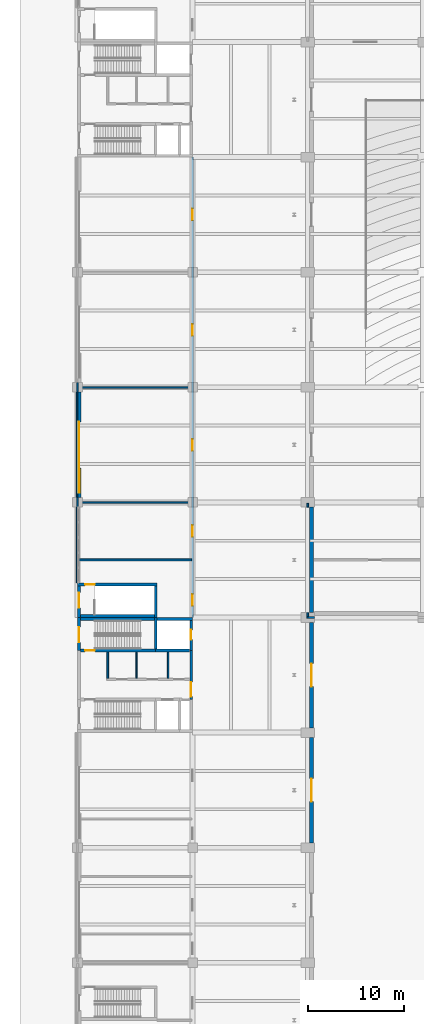
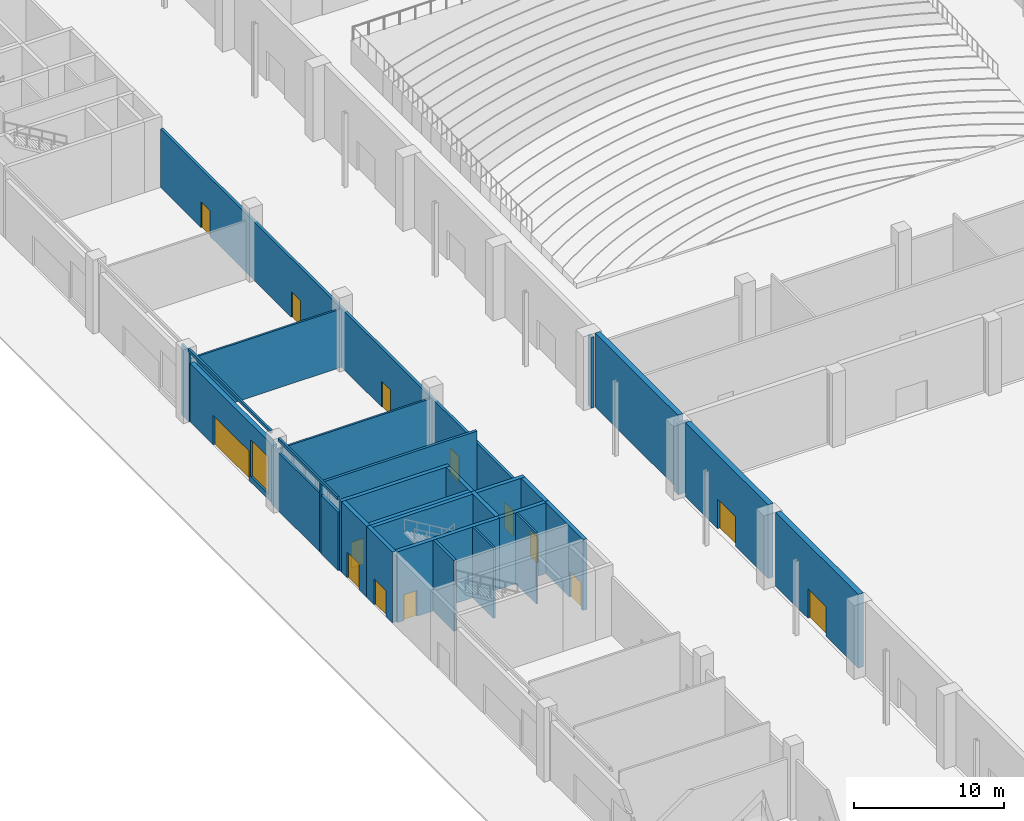
# One storey, part 37 of 59: 31 walls, 14 doors, 1 window, 15 openings.
"""IFC4 building model written with IfcOpenShell, lengths in metres."""

from ifc_helpers import new_model, si_unit, direction, frame, frame_2d, origin, place, context, subcontext, project, spatial, rectangle, extrude, material, layer, layer_set, type_object, element, fill, save


model = new_model("IFC4")

# Units and contexts
model_context = context("Model", 3, precision=1e-05, world=origin(), true_north=direction((0.0, 1.0)))
body_context = subcontext(model_context, "Body", "Model", "MODEL_VIEW")
ifc_project = project(units=[si_unit("LENGTHUNIT", "METRE"), si_unit("AREAUNIT", "SQUARE_METRE"), si_unit("VOLUMEUNIT", "CUBIC_METRE"), si_unit("PLANEANGLEUNIT", "RADIAN"), si_unit("MASSUNIT", "GRAM", prefix="KILO")], contexts=[model_context])

# Site, building, storey
site_placement = place(None, origin())
site = spatial("IfcSite", under=ifc_project, at=site_placement, CompositionType="ELEMENT")
building_placement = place(site_placement, origin())
building = spatial("IfcBuilding", under=site, at=building_placement, Name="Lilac Gate Convention Centre", CompositionType="ELEMENT")
storey_placement = place(building_placement, origin())
storey = spatial("IfcBuildingStorey", under=building, at=storey_placement, Name="L00", CompositionType="ELEMENT", Elevation=0.0)

# Wall, opening, door
ifc_material_1 = material(Name="Concrete C30", Category="concrete")
ifc_layer_1 = layer(ifc_material_1, 0.39990234375)
ifc_layer_set_1 = layer_set([ifc_layer_1], Name="Concrete C30")
wall_type_1 = type_object("IfcWallType", Name="Hall fire wall 400", PredefinedType="SOLIDWALL", material=ifc_layer_set_1)
wall_1_placement = place(storey_placement, frame((30.39990234375, 78.5, 0.0), z_axis=(0.0, 0.0, 1.0), x_axis=(0.0, 1.0, 0.0)))
wall_1 = element("IfcWall", 1, at=wall_1_placement, inside=storey, type_object=wall_type_1, Name="Fire wall galleria FW L00 5", PredefinedType="SOLIDWALL", context=body_context, shape_type="SweptSolid", body=[
    extrude(rectangle(XDim=11.0, YDim=0.39990234375, at=frame_2d((5.5, 0.0))), origin(), (0.0, 0.0, 1.0), 6.0),
])
opening_1_placement = place(wall_1_placement, frame((4.300048828125, 0.0, 0.0)))
opening_1 = element("IfcOpeningElement", 2, at=opening_1_placement, cuts=wall_1, Name="Opening L00-025", PredefinedType="OPENING", context=body_context, shape_type="SweptSolid", body=[
    extrude(rectangle(XDim=2.39990234375, YDim=2.39990234375, at=frame_2d((1.199951171875, 1.199951171875))), frame((0.0, 0.2099609375, 0.0), z_axis=(0.0, -1.0, 0.0), x_axis=(1.0, 0.0, 0.0)), (0.0, 0.0, 1.0), 0.419921875),
])
ifc_material_2 = material(Name="Steel Q235B", Category="steel")
door_type_1 = type_object("IfcDoorType", Name="Door 2400 x 2400 double leaf FD90", OperationType="DOUBLE_DOOR_SINGLE_SWING", PredefinedType="DOOR", material=ifc_material_2)
door_1_placement = place(opening_1_placement, origin())
door_1 = element("IfcDoor", 3, at=door_1_placement, inside=storey, type_object=door_type_1, Name="Hall exit door L00-025", OperationType="DOUBLE_DOOR_SINGLE_SWING", OverallHeight=2.39990234375, OverallWidth=2.39990234375, PredefinedType="DOOR", context=body_context, shape_type="SweptSolid", body=[
    extrude(rectangle(XDim=2.39990234375, YDim=2.39990234375, at=frame_2d((1.199951171875, 1.199951171875))), frame((0.0, 0.02490234375, 0.0), z_axis=(0.0, -1.0, 0.0), x_axis=(1.0, 0.0, 0.0)), (0.0, 0.0, 1.0), 0.050048828125),
])
fill(opening_1, door_1)

wall_2_placement = place(storey_placement, frame((30.39990234375, 90.5, 0.0), z_axis=(0.0, 0.0, 1.0), x_axis=(0.0, 1.0, 0.0)))
wall_2 = element("IfcWall", 4, at=wall_2_placement, inside=storey, type_object=wall_type_1, Name="Fire wall galleria FW L00 6", PredefinedType="SOLIDWALL", context=body_context, shape_type="SweptSolid", body=[
    extrude(rectangle(XDim=11.0, YDim=0.39990234375, at=frame_2d((5.5, 0.0))), origin(), (0.0, 0.0, 1.0), 6.0),
])
opening_2_placement = place(wall_2_placement, frame((4.300048828125, 0.0, 0.0)))
opening_2 = element("IfcOpeningElement", 5, at=opening_2_placement, cuts=wall_2, Name="Opening L00-034", PredefinedType="OPENING", context=body_context, shape_type="SweptSolid", body=[
    extrude(rectangle(XDim=2.39990234375, YDim=2.39990234375, at=frame_2d((1.199951171875, 1.199951171875))), frame((0.0, 0.2099609375, 0.0), z_axis=(0.0, -1.0, 0.0), x_axis=(1.0, 0.0, 0.0)), (0.0, 0.0, 1.0), 0.419921875),
])
door_2_placement = place(opening_2_placement, origin())
door_2 = element("IfcDoor", 6, at=door_2_placement, inside=storey, type_object=door_type_1, Name="Hall exit door L00-034", OperationType="DOUBLE_DOOR_SINGLE_SWING", OverallHeight=2.39990234375, OverallWidth=2.39990234375, PredefinedType="DOOR", context=body_context, shape_type="SweptSolid", body=[
    extrude(rectangle(XDim=2.39990234375, YDim=2.39990234375, at=frame_2d((1.199951171875, 1.199951171875))), frame((0.0, 0.02490234375, 0.0), z_axis=(0.0, -1.0, 0.0), x_axis=(1.0, 0.0, 0.0)), (0.0, 0.0, 1.0), 0.050048828125),
])
fill(opening_2, door_2)

# Walls
wall_3_placement = place(storey_placement, frame((30.39990234375, 102.5, 0.0), z_axis=(0.0, 0.0, 1.0), x_axis=(0.0, 1.0, 0.0)))
element("IfcWall", 7, at=wall_3_placement, inside=storey, type_object=wall_type_1, Name="Fire wall galleria FW L00 7", PredefinedType="SOLIDWALL", context=body_context, shape_type="SweptSolid", body=[
    extrude(rectangle(XDim=11.0, YDim=0.39990234375, at=frame_2d((5.5, 0.0))), origin(), (0.0, 0.0, 1.0), 6.0),
])
ifc_material_3 = material(Name="Fire-rated gypsum board on steel stud", Category="steel")
ifc_layer_2 = layer(ifc_material_3, 0.14990234375)
ifc_layer_set_2 = layer_set([ifc_layer_2], Name="Fire-rated gypsum board on steel stud")
wall_type_2 = type_object("IfcWallType", Name="Partition 150 fire-rated gypsum board EI 60", PredefinedType="PARTITIONING", material=ifc_layer_set_2)
for number, where, z_axis, x_axis, name in (
    (8, (6.074951171875, 114.0, 0.0), (0.0, 0.0, 1.0), (1.0, 0.0, 0.0), "Partition 150 fire-rated gypsum board EI 60"),
    (9, (6.074951171875, 126.0, 0.0), (0.0, 0.0, 1.0), (1.0, 0.0, 0.0), "Partition 150 fire-rated gypsum board EI 60"),
):
    element("IfcWall", number, at=place(storey_placement, frame(where, z_axis=z_axis, x_axis=x_axis)), inside=storey, type_object=wall_type_2, Name=name, PredefinedType="PARTITIONING", context=body_context, shape_type="SweptSolid", body=[
        extrude(rectangle(XDim=11.824951171875, YDim=0.14990234375, at=frame_2d((5.91259765625, 0.0))), origin(), (0.0, 0.0, 1.0), 4.75),
    ])
wall_4_placement = place(storey_placement, frame((6.0, 108.10009765625, 0.0), z_axis=(0.0, 0.0, 1.0), x_axis=(0.0, 1.0, 0.0)))
element("IfcWall", 10, at=wall_4_placement, inside=storey, type_object=wall_type_2, Name="Partition 150 fire-rated gypsum board EI 60", PredefinedType="PARTITIONING", context=body_context, shape_type="SweptSolid", body=[
    extrude(rectangle(XDim=6.39990234375, YDim=0.14990234375, at=frame_2d((3.199951171875, 0.0))), origin(), (0.0, 0.0, 1.0), 4.75),
])
wall_5_placement = place(storey_placement, frame((6.0, 125.5, 0.0), z_axis=(0.0, 0.0, 1.0), x_axis=(0.0, 1.0, 0.0)))
element("IfcWall", 11, at=wall_5_placement, inside=storey, type_object=wall_type_2, Name="Partition 150 fire-rated gypsum board EI 60", PredefinedType="PARTITIONING", context=body_context, shape_type="SweptSolid", body=[
    extrude(rectangle(XDim=1.0, YDim=0.14990234375, at=frame_2d((0.5, 0.0))), origin(), (0.0, 0.0, 1.0), 5.75),
])
for number, where, z_axis, x_axis, name in (
    (12, (12.14990234375, 95.64990234375, 0.0), (0.0, 0.0, 1.0), (0.0, 1.0, 0.0), "Partition 150 fire-rated gypsum board EI 60"),
    (13, (15.449951171875, 95.64990234375, 0.0), (0.0, 0.0, 1.0), (0.0, 1.0, 0.0), "Partition 150 fire-rated gypsum board EI 60"),
):
    element("IfcWall", number, at=place(storey_placement, frame(where, z_axis=z_axis, x_axis=x_axis)), inside=storey, type_object=wall_type_2, Name=name, PredefinedType="PARTITIONING", context=body_context, shape_type="SweptSolid", body=[
        extrude(rectangle(XDim=2.75, YDim=0.14990234375, at=frame_2d((1.375, 0.0))), origin(), (0.0, 0.0, 1.0), 5.75),
    ])
ifc_material_4 = material(Name="Clay brick masonry", Category="masonry")
ifc_layer_3 = layer(ifc_material_4, 0.199951171875)
ifc_layer_set_3 = layer_set([ifc_layer_3], Name="Clay brick masonry")
wall_type_3 = type_object("IfcWallType", Name="Partition 200 brick EI 120", PredefinedType="PARTITIONING", material=ifc_layer_set_3)
wall_6_placement = place(storey_placement, frame((29.89990234375, 102.0, 0.0), z_axis=(0.0, 0.0, 1.0), x_axis=(1.0, 0.0, 0.0)))
element("IfcWall", 14, at=wall_6_placement, inside=storey, type_object=wall_type_3, Name="Partition 200 brick EI 120", PredefinedType="PARTITIONING", context=body_context, shape_type="SweptSolid", body=[
    extrude(rectangle(XDim=0.800048828125, YDim=0.199951171875, at=frame_2d((0.39990234375, 0.0))), origin(), (0.0, 0.0, 1.0), 5.75),
])
ifc_layer_4 = layer(ifc_material_4, 0.199951171875)
ifc_layer_set_4 = layer_set([ifc_layer_4], Name="Clay brick masonry")
wall_type_4 = type_object("IfcWallType", Name="Partition 200 brick EI 60", PredefinedType="PARTITIONING", material=ifc_layer_set_4)
wall_7_placement = place(storey_placement, frame((5.925048828125, 108.0, 0.0), z_axis=(0.0, 0.0, 1.0), x_axis=(1.0, 0.0, 0.0)))
element("IfcWall", 15, at=wall_7_placement, inside=storey, type_object=wall_type_4, Name="Partition 200 brick EI 60", PredefinedType="PARTITIONING", context=body_context, shape_type="SweptSolid", body=[
    extrude(rectangle(XDim=11.974853515625, YDim=0.199951171875, at=frame_2d((5.9873046875, 0.0))), origin(), (0.0, 0.0, 1.0), 5.75),
])
wall_8_placement = place(storey_placement, frame((6.0, 105.60009765625, 0.0), z_axis=(0.0, 0.0, 1.0), x_axis=(0.0, 1.0, 0.0)))
element("IfcWall", 16, at=wall_8_placement, inside=storey, type_object=wall_type_4, Name="Partition 200 brick EI 60", PredefinedType="PARTITIONING", context=body_context, shape_type="SweptSolid", body=[
    extrude(rectangle(XDim=2.2998046875, YDim=0.199951171875, at=frame_2d((1.14990234375, 0.0))), origin(), (0.0, 0.0, 1.0), 4.75),
])
wall_9_placement = place(storey_placement, frame((9.14990234375, 95.64990234375, 0.0), z_axis=(0.0, 0.0, 1.0), x_axis=(0.0, 1.0, 0.0)))
element("IfcWall", 17, at=wall_9_placement, inside=storey, type_object=wall_type_4, Name="Partition 200 brick EI 60", PredefinedType="PARTITIONING", context=body_context, shape_type="SweptSolid", body=[
    extrude(rectangle(XDim=2.75, YDim=0.199951171875, at=frame_2d((1.375, 0.0))), origin(), (0.0, 0.0, 1.0), 5.75),
])

# Wall, openings, doors
wall_10_placement = place(storey_placement, frame((18.0, 102.0, 0.0), z_axis=(0.0, 0.0, 1.0), x_axis=(0.0, 1.0, 0.0)))
wall_10 = element("IfcWall", 18, at=wall_10_placement, inside=storey, type_object=wall_type_4, Name="Partition 200 brick EI 60", PredefinedType="PARTITIONING", context=body_context, shape_type="SweptSolid", body=[
    extrude(rectangle(XDim=48.0, YDim=0.199951171875, at=frame_2d((24.0, 0.0))), origin(), (0.0, 0.0, 1.0), 4.75),
])
opening_3_placement = place(wall_10_placement, frame((1.199951171875, 0.0, 0.0)))
opening_3 = element("IfcOpeningElement", 19, at=opening_3_placement, cuts=wall_10, Name="Opening L00-043", PredefinedType="OPENING", context=body_context, shape_type="SweptSolid", body=[
    extrude(rectangle(XDim=1.199951171875, YDim=2.10009765625, at=frame_2d((0.60009765625, 1.050048828125))), frame((0.0, 0.10986328125, 0.0), z_axis=(0.0, -1.0, 0.0), x_axis=(1.0, 0.0, 0.0)), (0.0, 0.0, 1.0), 0.219970703125),
])
opening_4_placement = place(wall_10_placement, frame((8.39990234375, 0.0, 0.0)))
opening_4 = element("IfcOpeningElement", 20, at=opening_4_placement, cuts=wall_10, Name="Opening L00-055", PredefinedType="OPENING", context=body_context, shape_type="SweptSolid", body=[
    extrude(rectangle(XDim=1.199951171875, YDim=2.10009765625, at=frame_2d((0.60009765625, 1.050048828125))), frame((0.0, 0.10986328125, 0.0), z_axis=(0.0, -1.0, 0.0), x_axis=(1.0, 0.0, 0.0)), (0.0, 0.0, 1.0), 0.219970703125),
])
opening_5_placement = place(wall_10_placement, frame((17.39990234375, 0.0, 0.0)))
opening_5 = element("IfcOpeningElement", 21, at=opening_5_placement, cuts=wall_10, Name="Opening L00-060", PredefinedType="OPENING", context=body_context, shape_type="SweptSolid", body=[
    extrude(rectangle(XDim=1.199951171875, YDim=2.10009765625, at=frame_2d((0.60009765625, 1.050048828125))), frame((0.0, 0.10986328125, 0.0), z_axis=(0.0, -1.0, 0.0), x_axis=(1.0, 0.0, 0.0)), (0.0, 0.0, 1.0), 0.219970703125),
])
opening_6_placement = place(wall_10_placement, frame((29.39990234375, 0.0, 0.0)))
opening_6 = element("IfcOpeningElement", 22, at=opening_6_placement, cuts=wall_10, Name="Opening L00-063", PredefinedType="OPENING", context=body_context, shape_type="SweptSolid", body=[
    extrude(rectangle(XDim=1.199951171875, YDim=2.10009765625, at=frame_2d((0.60009765625, 1.050048828125))), frame((0.0, 0.10986328125, 0.0), z_axis=(0.0, -1.0, 0.0), x_axis=(1.0, 0.0, 0.0)), (0.0, 0.0, 1.0), 0.219970703125),
])
opening_7_placement = place(wall_10_placement, frame((41.39990234375, 0.0, 0.0)))
opening_7 = element("IfcOpeningElement", 23, at=opening_7_placement, cuts=wall_10, Name="Opening L00-068", PredefinedType="OPENING", context=body_context, shape_type="SweptSolid", body=[
    extrude(rectangle(XDim=1.199951171875, YDim=2.10009765625, at=frame_2d((0.60009765625, 1.050048828125))), frame((0.0, 0.10986328125, 0.0), z_axis=(0.0, -1.0, 0.0), x_axis=(1.0, 0.0, 0.0)), (0.0, 0.0, 1.0), 0.219970703125),
])
ifc_material_5 = material(Name="Timber fire door leaf", Category="wood")
door_type_2 = type_object("IfcDoorType", Name="Door 1200 x 2100 single leaf FD30", OperationType="SINGLE_SWING_LEFT", PredefinedType="DOOR", material=ifc_material_5)
door_3_placement = place(opening_4_placement, origin())
door_3 = element("IfcDoor", 24, at=door_3_placement, inside=storey, type_object=door_type_2, Name="Office door L00-055", OperationType="SINGLE_SWING_LEFT", OverallHeight=2.10009765625, OverallWidth=1.199951171875, PredefinedType="DOOR", context=body_context, shape_type="SweptSolid", body=[
    extrude(rectangle(XDim=1.199951171875, YDim=2.10009765625, at=frame_2d((0.60009765625, 1.050048828125))), frame((0.0, 0.02490234375, 0.0), z_axis=(0.0, -1.0, 0.0), x_axis=(1.0, 0.0, 0.0)), (0.0, 0.0, 1.0), 0.050048828125),
])
fill(opening_4, door_3)
door_4_placement = place(opening_5_placement, origin())
door_4 = element("IfcDoor", 25, at=door_4_placement, inside=storey, type_object=door_type_2, Name="Office door L00-060", OperationType="SINGLE_SWING_LEFT", OverallHeight=2.10009765625, OverallWidth=1.199951171875, PredefinedType="DOOR", context=body_context, shape_type="SweptSolid", body=[
    extrude(rectangle(XDim=1.199951171875, YDim=2.10009765625, at=frame_2d((0.60009765625, 1.050048828125))), frame((0.0, 0.02490234375, 0.0), z_axis=(0.0, -1.0, 0.0), x_axis=(1.0, 0.0, 0.0)), (0.0, 0.0, 1.0), 0.050048828125),
])
fill(opening_5, door_4)
door_5_placement = place(opening_6_placement, origin())
door_5 = element("IfcDoor", 26, at=door_5_placement, inside=storey, type_object=door_type_2, Name="Office door L00-063", OperationType="SINGLE_SWING_LEFT", OverallHeight=2.10009765625, OverallWidth=1.199951171875, PredefinedType="DOOR", context=body_context, shape_type="SweptSolid", body=[
    extrude(rectangle(XDim=1.199951171875, YDim=2.10009765625, at=frame_2d((0.60009765625, 1.050048828125))), frame((0.0, 0.02490234375, 0.0), z_axis=(0.0, -1.0, 0.0), x_axis=(1.0, 0.0, 0.0)), (0.0, 0.0, 1.0), 0.050048828125),
])
fill(opening_6, door_5)
door_6_placement = place(opening_7_placement, frame((1.199951171875, 0.0, 0.0), z_axis=(0.0, 0.0, 1.0), x_axis=(-1.0, 0.0, 0.0)))
door_6 = element("IfcDoor", 27, at=door_6_placement, inside=storey, type_object=door_type_2, Name="Shop door L00-068", OperationType="SINGLE_SWING_RIGHT", OverallHeight=2.10009765625, OverallWidth=1.199951171875, PredefinedType="DOOR", context=body_context, shape_type="SweptSolid", body=[
    extrude(rectangle(XDim=1.199951171875, YDim=2.10009765625, at=frame_2d((0.60009765625, 1.050048828125))), frame((0.0, 0.02490234375, 0.0), z_axis=(0.0, -1.0, 0.0), x_axis=(1.0, 0.0, 0.0)), (0.0, 0.0, 1.0), 0.050048828125),
])
fill(opening_7, door_6)
door_type_3 = type_object("IfcDoorType", Name="Door 1200 x 2100 single leaf FD60", OperationType="SINGLE_SWING_LEFT", PredefinedType="DOOR", material=ifc_material_5)
door_7_placement = place(opening_3_placement, origin())
door_7 = element("IfcDoor", 28, at=door_7_placement, inside=storey, type_object=door_type_3, Name="Lobby door L00-043", OperationType="SINGLE_SWING_RIGHT", OverallHeight=2.10009765625, OverallWidth=1.199951171875, PredefinedType="DOOR", context=body_context, shape_type="SweptSolid", body=[
    extrude(rectangle(XDim=1.199951171875, YDim=2.10009765625, at=frame_2d((0.60009765625, 1.050048828125))), frame((0.0, 0.02490234375, 0.0), z_axis=(0.0, -1.0, 0.0), x_axis=(1.0, 0.0, 0.0)), (0.0, 0.0, 1.0), 0.050048828125),
])
fill(opening_3, door_7)

# Walls
for number, where, z_axis, x_axis, name in (
    (29, (30.0, 102.10009765625, 0.0), (0.0, 0.0, 1.0), (0.0, 1.0, 0.0), "Partition 200 brick EI 60"),
    (30, (30.0, 113.5, 0.0), (0.0, 0.0, 1.0), (0.0, 1.0, 0.0), "Partition 200 brick EI 60"),
):
    element("IfcWall", number, at=place(storey_placement, frame(where, z_axis=z_axis, x_axis=x_axis)), inside=storey, type_object=wall_type_4, Name=name, PredefinedType="PARTITIONING", context=body_context, shape_type="SweptSolid", body=[
        extrude(rectangle(XDim=0.39990234375, YDim=0.199951171875, at=frame_2d((0.199951171875, 0.0))), origin(), (0.0, 0.0, 1.0), 5.75),
    ])

# Wall, openings, door, window
ifc_material_6 = material(Name="Ochre mineral render")
ifc_layer_5 = layer(ifc_material_6, 0.02001953125)
ifc_material_7 = material(Name="Concrete C40 precast", Category="concrete")
ifc_layer_6 = layer(ifc_material_7, 0.06005859375)
ifc_material_8 = material(Name="Ventilated air cavity")
ifc_layer_7 = layer(ifc_material_8, 0.030029296875)
ifc_material_9 = material(Name="Mineral wool insulation")
ifc_layer_8 = layer(ifc_material_9, 0.169921875)
ifc_material_10 = material(Name="Steel stud Q345 and gypsum lining", Category="steel")
ifc_layer_9 = layer(ifc_material_10, 0.070068359375)
ifc_layer_set_5 = layer_set([ifc_layer_5, ifc_layer_6, ifc_layer_7, ifc_layer_8, ifc_layer_9], Name="Ochre mineral render, Concrete C40 precast, Ventilated air cavity, Mineral wool insulation, Steel stud Q345 and gypsum lining")
wall_type_5 = type_object("IfcWallType", Name="Podium precast wall 350", PredefinedType="STANDARD", material=ifc_layer_set_5)
wall_11_placement = place(storey_placement, frame((6.175048828125, 125.5, 0.0), z_axis=(0.0, 0.0, 1.0), x_axis=(0.0, -1.0, 0.0)))
wall_11 = element("IfcWall", 31, at=wall_11_placement, inside=storey, type_object=wall_type_5, Name="External wall west PW L00 7", PredefinedType="STANDARD", context=body_context, shape_type="SweptSolid", body=[
    extrude(rectangle(XDim=11.0, YDim=0.35009765625, at=frame_2d((5.5, 0.0))), origin(), (0.0, 0.0, 1.0), 4.75),
])
opening_8_placement = place(wall_11_placement, frame((8.10009765625, 0.0, 0.449951171875)))
opening_8 = element("IfcOpeningElement", 32, at=opening_8_placement, cuts=wall_11, Name="Opening W6", PredefinedType="OPENING", context=body_context, shape_type="SweptSolid", body=[
    extrude(rectangle(XDim=2.39990234375, YDim=3.0, at=frame_2d((1.199951171875, 1.5))), frame((0.0, 0.18505859375, 0.0), z_axis=(0.0, -1.0, 0.0), x_axis=(1.0, 0.0, 0.0)), (0.0, 0.0, 1.0), 0.3701171875),
])
opening_9_placement = place(wall_11_placement, frame((3.10009765625, 0.0, 0.0)))
opening_9 = element("IfcOpeningElement", 33, at=opening_9_placement, cuts=wall_11, Name="Opening ED-009", PredefinedType="OPENING", context=body_context, shape_type="SweptSolid", body=[
    extrude(rectangle(XDim=4.800048828125, YDim=2.39990234375, at=frame_2d((2.39990234375, 1.199951171875))), frame((0.0, 0.18505859375, 0.0), z_axis=(0.0, -1.0, 0.0), x_axis=(1.0, 0.0, 0.0)), (0.0, 0.0, 1.0), 0.3701171875),
])
door_type_4 = type_object("IfcDoorType", Name="Exit door set 4800 x 2400", OperationType="DOUBLE_DOOR_SINGLE_SWING", PredefinedType="DOOR", material=ifc_material_2)
door_8_placement = place(opening_9_placement, frame((4.800048828125, 0.0, 0.0), z_axis=(0.0, 0.0, 1.0), x_axis=(-1.0, 0.0, 0.0)))
door_8 = element("IfcDoor", 34, at=door_8_placement, inside=storey, type_object=door_type_4, Name="Pedestrian exit doors G4", OperationType="DOUBLE_DOOR_SINGLE_SWING", OverallHeight=2.39990234375, OverallWidth=4.800048828125, PredefinedType="DOOR", context=body_context, shape_type="SweptSolid", body=[
    extrude(rectangle(XDim=4.800048828125, YDim=2.39990234375, at=frame_2d((2.39990234375, 1.199951171875))), frame((0.0, 0.02490234375, 0.0), z_axis=(0.0, -1.0, 0.0), x_axis=(1.0, 0.0, 0.0)), (0.0, 0.0, 1.0), 0.050048828125),
])
fill(opening_9, door_8)
ifc_material_11 = material(Name="Aluminium framed double glazing", Category="aluminium")
window_type = type_object("IfcWindowType", Name="Shopfront window 2400 x 3000", PartitioningType="TRIPLE_PANEL_VERTICAL", PredefinedType="WINDOW", material=ifc_material_11)
window_placement = place(opening_8_placement, origin())
window = element("IfcWindow", 35, at=window_placement, inside=storey, type_object=window_type, Name="Window L00 west 117", OverallHeight=3.0, OverallWidth=2.39990234375, PartitioningType="SINGLE_PANEL", PredefinedType="WINDOW", context=body_context, shape_type="SweptSolid", body=[
    extrude(rectangle(XDim=2.39990234375, YDim=3.0, at=frame_2d((1.199951171875, 1.5))), frame((0.0, 0.030029296875, 0.0), z_axis=(0.0, -1.0, 0.0), x_axis=(1.0, 0.0, 0.0)), (0.0, 0.0, 1.0), 0.06005859375),
])
fill(opening_8, window)

# Walls
ifc_layer_10 = layer(ifc_material_7, 0.1298828125)
ifc_material_12 = material(Name="Teal glazed cladding")
ifc_layer_11 = layer(ifc_material_12, 0.02001953125)
ifc_layer_set_6 = layer_set([ifc_layer_10, ifc_layer_11], Name="Concrete C40 precast, Teal glazed cladding")
wall_type_6 = type_object("IfcWallType", Name="Precast band teal 150", PredefinedType="STANDARD", material=ifc_layer_set_6)
wall_12_placement = place(storey_placement, frame((5.925048828125, 125.5, 5.75), z_axis=(0.0, 0.0, 1.0), x_axis=(0.0, -1.0, 0.0)))
element("IfcWall", 36, at=wall_12_placement, inside=storey, type_object=wall_type_6, Name="Precast band PW L00 7", PredefinedType="STANDARD", context=body_context, shape_type="SweptSolid", body=[
    extrude(rectangle(XDim=11.0, YDim=0.14990234375, at=frame_2d((5.5, 0.0))), origin(), (0.0, 0.0, 1.0), 0.25),
])
wall_13_placement = place(storey_placement, frame((5.925048828125, 113.5, 5.75), z_axis=(0.0, 0.0, 1.0), x_axis=(0.0, -1.0, 0.0)))
element("IfcWall", 37, at=wall_13_placement, inside=storey, type_object=wall_type_6, Name="Precast band PW L00 8", PredefinedType="STANDARD", context=body_context, shape_type="SweptSolid", body=[
    extrude(rectangle(XDim=7.89990234375, YDim=0.14990234375, at=frame_2d((3.949951171875, 0.0))), origin(), (0.0, 0.0, 1.0), 0.25),
])
ifc_material_13 = material(Name="Concrete C40", Category="concrete")
ifc_layer_12 = layer(ifc_material_13, 0.300048828125)
ifc_layer_set_7 = layer_set([ifc_layer_12], Name="Concrete C40")
wall_type_7 = type_object("IfcWallType", Name="Shear wall 300 C40", PredefinedType="SHEAR", material=ifc_layer_set_7)
wall_14_placement = place(storey_placement, frame((6.0, 102.14990234375, 0.0), z_axis=(0.0, 0.0, 1.0), x_axis=(1.0, 0.0, 0.0)))
element("IfcWall", 38, at=wall_14_placement, inside=storey, type_object=wall_type_7, Name="SW1 shear wall BW2 L00 1", PredefinedType="SHEAR", context=body_context, shape_type="SweptSolid", body=[
    extrude(rectangle(XDim=8.300048828125, YDim=0.300048828125, at=frame_2d((4.14990234375, 0.0))), origin(), (0.0, 0.0, 1.0), 5.75),
])

# Wall, opening, door
wall_15_placement = place(storey_placement, frame((6.0, 105.449951171875, 0.0), z_axis=(0.0, 0.0, 1.0), x_axis=(1.0, 0.0, 0.0)))
wall_15 = element("IfcWall", 39, at=wall_15_placement, inside=storey, type_object=wall_type_7, Name="SW1 shear wall BW2 L00 2", PredefinedType="SHEAR", context=body_context, shape_type="SweptSolid", body=[
    extrude(rectangle(XDim=8.300048828125, YDim=0.300048828125, at=frame_2d((4.14990234375, 0.0))), origin(), (0.0, 0.0, 1.0), 5.75),
])
opening_10_placement = place(wall_15_placement, frame((0.800048828125, 0.0, 0.0)))
opening_10 = element("IfcOpeningElement", 40, at=opening_10_placement, cuts=wall_15, Name="Opening L00-044", PredefinedType="OPENING", context=body_context, shape_type="SweptSolid", body=[
    extrude(rectangle(XDim=1.0, YDim=2.10009765625, at=frame_2d((0.5, 1.050048828125))), frame((0.0, 0.159912109375, 0.0), z_axis=(0.0, -1.0, 0.0), x_axis=(1.0, 0.0, 0.0)), (0.0, 0.0, 1.0), 0.320068359375),
])
door_type_5 = type_object("IfcDoorType", Name="Door 1000 x 2100 single leaf FD60", OperationType="SINGLE_SWING_LEFT", PredefinedType="DOOR", material=ifc_material_5)
door_9_placement = place(opening_10_placement, frame((1.0, 0.0, 0.0), z_axis=(0.0, 0.0, 1.0), x_axis=(-1.0, 0.0, 0.0)))
door_9 = element("IfcDoor", 41, at=door_9_placement, inside=storey, type_object=door_type_5, Name="Stair door L00-044", OperationType="SINGLE_SWING_LEFT", OverallHeight=2.10009765625, OverallWidth=1.0, PredefinedType="DOOR", context=body_context, shape_type="SweptSolid", body=[
    extrude(rectangle(XDim=1.0, YDim=2.10009765625, at=frame_2d((0.5, 1.050048828125))), frame((0.0, 0.02490234375, 0.0), z_axis=(0.0, -1.0, 0.0), x_axis=(1.0, 0.0, 0.0)), (0.0, 0.0, 1.0), 0.050048828125),
])
fill(opening_10, door_9)

wall_16_placement = place(storey_placement, frame((6.14990234375, 102.0, 0.0), z_axis=(0.0, 0.0, 1.0), x_axis=(0.0, 1.0, 0.0)))
wall_16 = element("IfcWall", 42, at=wall_16_placement, inside=storey, type_object=wall_type_7, Name="SW1 shear wall BW2 L00 3", PredefinedType="SHEAR", context=body_context, shape_type="SweptSolid", body=[
    extrude(rectangle(XDim=3.300048828125, YDim=0.300048828125, at=frame_2d((1.64990234375, 0.0))), origin(), (0.0, 0.0, 1.0), 5.75),
])
opening_11_placement = place(wall_16_placement, frame((1.0, 0.0, 0.0)))
opening_11 = element("IfcOpeningElement", 43, at=opening_11_placement, cuts=wall_16, Name="Opening L00-042", PredefinedType="OPENING", context=body_context, shape_type="SweptSolid", body=[
    extrude(rectangle(XDim=1.60009765625, YDim=2.10009765625, at=frame_2d((0.800048828125, 1.050048828125))), frame((0.0, 0.159912109375, 0.0), z_axis=(0.0, -1.0, 0.0), x_axis=(1.0, 0.0, 0.0)), (0.0, 0.0, 1.0), 0.320068359375),
])
door_type_6 = type_object("IfcDoorType", Name="Door 1600 x 2100 double leaf FD60", OperationType="DOUBLE_DOOR_SINGLE_SWING", PredefinedType="DOOR", material=ifc_material_5)
door_10_placement = place(opening_11_placement, origin())
door_10 = element("IfcDoor", 44, at=door_10_placement, inside=storey, type_object=door_type_6, Name="Stair exit door L00-042", OperationType="DOUBLE_DOOR_SINGLE_SWING", OverallHeight=2.10009765625, OverallWidth=1.60009765625, PredefinedType="DOOR", context=body_context, shape_type="SweptSolid", body=[
    extrude(rectangle(XDim=1.60009765625, YDim=2.10009765625, at=frame_2d((0.800048828125, 1.050048828125))), frame((0.0, 0.02490234375, 0.0), z_axis=(0.0, -1.0, 0.0), x_axis=(1.0, 0.0, 0.0)), (0.0, 0.0, 1.0), 0.050048828125),
])
fill(opening_11, door_10)

# Walls
wall_17_placement = place(storey_placement, frame((14.14990234375, 102.0, 0.0), z_axis=(0.0, 0.0, 1.0), x_axis=(0.0, 1.0, 0.0)))
element("IfcWall", 45, at=wall_17_placement, inside=storey, type_object=wall_type_7, Name="SW1 shear wall BW2 L00 4", PredefinedType="SHEAR", context=body_context, shape_type="SweptSolid", body=[
    extrude(rectangle(XDim=3.300048828125, YDim=0.300048828125, at=frame_2d((1.64990234375, 0.0))), origin(), (0.0, 0.0, 1.0), 5.75),
])
wall_18_placement = place(storey_placement, frame((6.0, 101.85009765625, 0.0), z_axis=(0.0, 0.0, 1.0), x_axis=(1.0, 0.0, 0.0)))
element("IfcWall", 46, at=wall_18_placement, inside=storey, type_object=wall_type_7, Name="SW1 shear wall W2 L00 4", PredefinedType="SHEAR", context=body_context, shape_type="SweptSolid", body=[
    extrude(rectangle(XDim=8.14990234375, YDim=0.300048828125, at=frame_2d((4.074951171875, 0.0))), origin(), (0.0, 0.0, 1.0), 5.75),
])
wall_19_placement = place(storey_placement, frame((14.14990234375, 101.85009765625, 0.0), z_axis=(0.0, 0.0, 1.0), x_axis=(1.0, 0.0, 0.0)))
element("IfcWall", 47, at=wall_19_placement, inside=storey, type_object=wall_type_7, Name="SW1 shear wall W2 L00 5", PredefinedType="SHEAR", context=body_context, shape_type="SweptSolid", body=[
    extrude(rectangle(XDim=3.85009765625, YDim=0.300048828125, at=frame_2d((1.925048828125, 0.0))), origin(), (0.0, 0.0, 1.0), 5.75),
])

# Wall, opening, door
wall_20_placement = place(storey_placement, frame((6.300048828125, 98.550048828125, 0.0), z_axis=(0.0, 0.0, 1.0), x_axis=(1.0, 0.0, 0.0)))
wall_20 = element("IfcWall", 48, at=wall_20_placement, inside=storey, type_object=wall_type_7, Name="SW1 shear wall W2 L00 9", PredefinedType="SHEAR", context=body_context, shape_type="SweptSolid", body=[
    extrude(rectangle(XDim=7.849853515625, YDim=0.300048828125, at=frame_2d((3.9248046875, 0.0))), origin(), (0.0, 0.0, 1.0), 5.75),
])
opening_12_placement = place(wall_20_placement, frame((0.5, 0.0, 0.0)))
opening_12 = element("IfcOpeningElement", 49, at=opening_12_placement, cuts=wall_20, Name="Opening L00-035", PredefinedType="OPENING", context=body_context, shape_type="SweptSolid", body=[
    extrude(rectangle(XDim=1.0, YDim=2.10009765625, at=frame_2d((0.5, 1.050048828125))), frame((0.0, 0.159912109375, 0.0), z_axis=(0.0, -1.0, 0.0), x_axis=(1.0, 0.0, 0.0)), (0.0, 0.0, 1.0), 0.320068359375),
])
door_11_placement = place(opening_12_placement, origin())
door_11 = element("IfcDoor", 50, at=door_11_placement, inside=storey, type_object=door_type_5, Name="Stair door L00-035", OperationType="SINGLE_SWING_RIGHT", OverallHeight=2.10009765625, OverallWidth=1.0, PredefinedType="DOOR", context=body_context, shape_type="SweptSolid", body=[
    extrude(rectangle(XDim=1.0, YDim=2.10009765625, at=frame_2d((0.5, 1.050048828125))), frame((0.0, 0.02490234375, 0.0), z_axis=(0.0, -1.0, 0.0), x_axis=(1.0, 0.0, 0.0)), (0.0, 0.0, 1.0), 0.050048828125),
])
fill(opening_12, door_11)

# Wall
wall_21_placement = place(storey_placement, frame((14.14990234375, 98.550048828125, 0.0), z_axis=(0.0, 0.0, 1.0), x_axis=(1.0, 0.0, 0.0)))
element("IfcWall", 51, at=wall_21_placement, inside=storey, type_object=wall_type_7, Name="SW1 shear wall W2 L00 10", PredefinedType="SHEAR", context=body_context, shape_type="SweptSolid", body=[
    extrude(rectangle(XDim=3.550048828125, YDim=0.300048828125, at=frame_2d((1.77490234375, 0.0))), origin(), (0.0, 0.0, 1.0), 5.75),
])

# Wall, opening, door
wall_22_placement = place(storey_placement, frame((6.14990234375, 98.550048828125, 0.0), z_axis=(0.0, 0.0, 1.0), x_axis=(0.0, 1.0, 0.0)))
wall_22 = element("IfcWall", 52, at=wall_22_placement, inside=storey, type_object=wall_type_7, Name="SW1 shear wall W2 L00 13", PredefinedType="SHEAR", context=body_context, shape_type="SweptSolid", body=[
    extrude(rectangle(XDim=3.449951171875, YDim=0.300048828125, at=frame_2d((1.72509765625, 0.0))), origin(), (0.0, 0.0, 1.0), 5.75),
])
opening_13_placement = place(wall_22_placement, frame((0.85009765625, 0.0, 0.0)))
opening_13 = element("IfcOpeningElement", 53, at=opening_13_placement, cuts=wall_22, Name="Opening L00-036", PredefinedType="OPENING", context=body_context, shape_type="SweptSolid", body=[
    extrude(rectangle(XDim=1.60009765625, YDim=2.10009765625, at=frame_2d((0.800048828125, 1.050048828125))), frame((0.0, 0.159912109375, 0.0), z_axis=(0.0, -1.0, 0.0), x_axis=(1.0, 0.0, 0.0)), (0.0, 0.0, 1.0), 0.320068359375),
])
door_12_placement = place(opening_13_placement, origin())
door_12 = element("IfcDoor", 54, at=door_12_placement, inside=storey, type_object=door_type_6, Name="Stair exit door L00-036", OperationType="DOUBLE_DOOR_SINGLE_SWING", OverallHeight=2.10009765625, OverallWidth=1.60009765625, PredefinedType="DOOR", context=body_context, shape_type="SweptSolid", body=[
    extrude(rectangle(XDim=1.60009765625, YDim=2.10009765625, at=frame_2d((0.800048828125, 1.050048828125))), frame((0.0, 0.02490234375, 0.0), z_axis=(0.0, -1.0, 0.0), x_axis=(1.0, 0.0, 0.0)), (0.0, 0.0, 1.0), 0.050048828125),
])
fill(opening_13, door_12)

wall_23_placement = place(storey_placement, frame((17.85009765625, 93.449951171875, 0.0), z_axis=(0.0, 0.0, 1.0), x_axis=(0.0, 1.0, 0.0)))
wall_23 = element("IfcWall", 55, at=wall_23_placement, inside=storey, type_object=wall_type_7, Name="SW1 shear wall W2 L00 15", PredefinedType="SHEAR", context=body_context, shape_type="SweptSolid", body=[
    extrude(rectangle(XDim=5.10009765625, YDim=0.300048828125, at=frame_2d((2.550048828125, 0.0))), origin(), (0.0, 0.0, 1.0), 5.75),
])
opening_14_placement = place(wall_23_placement, frame((0.300048828125, 0.0, 0.0)))
opening_14 = element("IfcOpeningElement", 56, at=opening_14_placement, cuts=wall_23, Name="Opening L00-030", PredefinedType="OPENING", context=body_context, shape_type="SweptSolid", body=[
    extrude(rectangle(XDim=1.5, YDim=2.10009765625, at=frame_2d((0.75, 1.050048828125))), frame((0.0, 0.159912109375, 0.0), z_axis=(0.0, -1.0, 0.0), x_axis=(1.0, 0.0, 0.0)), (0.0, 0.0, 1.0), 0.320068359375),
])
door_type_7 = type_object("IfcDoorType", Name="Door 1500 x 2100 double leaf FD30", OperationType="DOUBLE_DOOR_SINGLE_SWING", PredefinedType="DOOR", material=ifc_material_5)
door_13_placement = place(opening_14_placement, origin())
door_13 = element("IfcDoor", 57, at=door_13_placement, inside=storey, type_object=door_type_7, Name="Lobby door L00-030", OperationType="DOUBLE_DOOR_SINGLE_SWING", OverallHeight=2.10009765625, OverallWidth=1.5, PredefinedType="DOOR", context=body_context, shape_type="SweptSolid", body=[
    extrude(rectangle(XDim=1.5, YDim=2.10009765625, at=frame_2d((0.75, 1.050048828125))), frame((0.0, 0.02490234375, 0.0), z_axis=(0.0, -1.0, 0.0), x_axis=(1.0, 0.0, 0.0)), (0.0, 0.0, 1.0), 0.050048828125),
])
fill(opening_14, door_13)

wall_24_placement = place(storey_placement, frame((17.85009765625, 98.550048828125, 0.0), z_axis=(0.0, 0.0, 1.0), x_axis=(0.0, 1.0, 0.0)))
wall_24 = element("IfcWall", 58, at=wall_24_placement, inside=storey, type_object=wall_type_7, Name="SW1 shear wall W2 L00 16", PredefinedType="SHEAR", context=body_context, shape_type="SweptSolid", body=[
    extrude(rectangle(XDim=3.14990234375, YDim=0.300048828125, at=frame_2d((1.574951171875, 0.0))), origin(), (0.0, 0.0, 1.0), 5.75),
])
opening_15_placement = place(wall_24_placement, frame((1.14990234375, 0.0, 0.0)))
opening_15 = element("IfcOpeningElement", 59, at=opening_15_placement, cuts=wall_24, Name="Opening L00-037", PredefinedType="OPENING", context=body_context, shape_type="SweptSolid", body=[
    extrude(rectangle(XDim=1.0, YDim=2.10009765625, at=frame_2d((0.5, 1.050048828125))), frame((0.0, 0.159912109375, 0.0), z_axis=(0.0, -1.0, 0.0), x_axis=(1.0, 0.0, 0.0)), (0.0, 0.0, 1.0), 0.320068359375),
])
door_type_8 = type_object("IfcDoorType", Name="Door 1000 x 2100 single leaf FD30", OperationType="SINGLE_SWING_LEFT", PredefinedType="DOOR", material=ifc_material_5)
door_14_placement = place(opening_15_placement, origin())
door_14 = element("IfcDoor", 60, at=door_14_placement, inside=storey, type_object=door_type_8, Name="Riser access door L00-037", OperationType="SINGLE_SWING_RIGHT", OverallHeight=2.10009765625, OverallWidth=1.0, PredefinedType="DOOR", context=body_context, shape_type="SweptSolid", body=[
    extrude(rectangle(XDim=1.0, YDim=2.10009765625, at=frame_2d((0.5, 1.050048828125))), frame((0.0, 0.02490234375, 0.0), z_axis=(0.0, -1.0, 0.0), x_axis=(1.0, 0.0, 0.0)), (0.0, 0.0, 1.0), 0.050048828125),
])
fill(opening_15, door_14)

# Wall
wall_25_placement = place(storey_placement, frame((14.14990234375, 98.699951171875, 0.0), z_axis=(0.0, 0.0, 1.0), x_axis=(0.0, 1.0, 0.0)))
element("IfcWall", 61, at=wall_25_placement, inside=storey, type_object=wall_type_7, Name="SW1 shear wall W2 L00 18", PredefinedType="SHEAR", context=body_context, shape_type="SweptSolid", body=[
    extrude(rectangle(XDim=3.300048828125, YDim=0.300048828125, at=frame_2d((1.64990234375, 0.0))), origin(), (0.0, 0.0, 1.0), 5.75),
])

save(model, "model.ifc")
